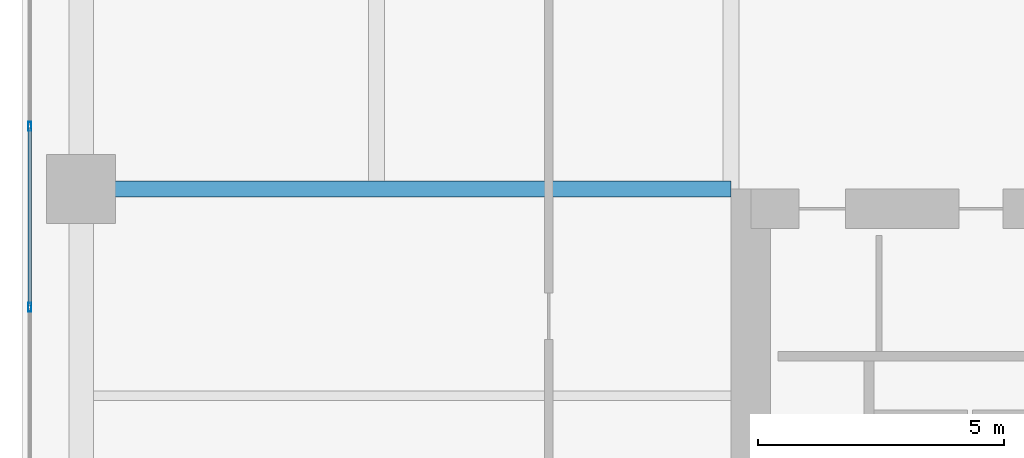
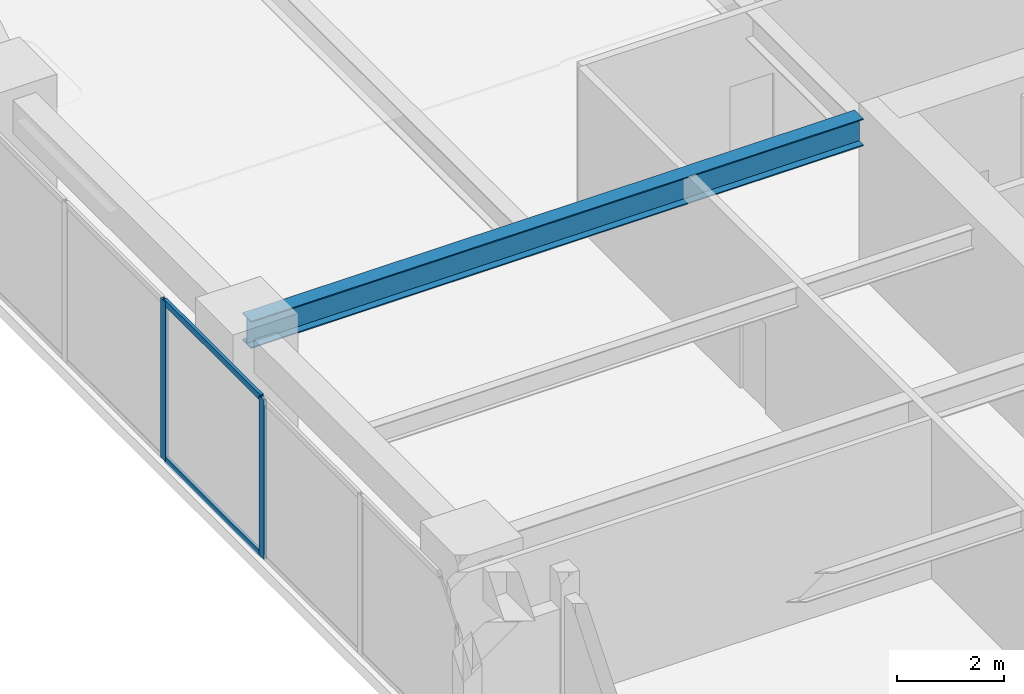
# One storey, part 8 of 24: 4 members, 1 beam, 1 element without a shape of its own.
"""IFC4 building model written with IfcOpenShell, lengths in metres."""

from ifc_helpers import new_model, si_unit, direction, frame, origin, origin_2d, place, context, subcontext, project, spatial, hollow_rectangle, i_section, extrude, material, layer, layer_set, material_profile, profile_set, type_object, element, aggregate, save


model = new_model("IFC4")

# Units and contexts
model_context = context("Model", 3, precision=1e-05, world=origin(), true_north=direction((0.0, 1.0)))
body_context = subcontext(model_context, "Body", "Model", "MODEL_VIEW")
ifc_project = project(units=[si_unit("LENGTHUNIT", "METRE"), si_unit("AREAUNIT", "SQUARE_METRE"), si_unit("VOLUMEUNIT", "CUBIC_METRE"), si_unit("PLANEANGLEUNIT", "RADIAN"), si_unit("MASSUNIT", "GRAM", prefix="KILO")], contexts=[model_context])

# Site, building, storey
site_placement = place(None, origin())
site = spatial("IfcSite", under=ifc_project, at=site_placement, CompositionType="ELEMENT")
building_placement = place(site_placement, origin())
building = spatial("IfcBuilding", under=site, at=building_placement, Name="Kiyonajd Concourse Tower", CompositionType="ELEMENT")
storey_placement = place(building_placement, frame((0.0, 0.0, 113.10009765625)))
storey = spatial("IfcBuildingStorey", under=building, at=storey_placement, Name="L29", CompositionType="ELEMENT", Elevation=113.10009765625)

# Beam
ifc_material_1 = material(Name="Steel ASTM A992 Grade 50", Category="steel")
ifc_material_profile_1 = material_profile(ifc_material_1, i_section(OverallWidth=0.326904296875, OverallDepth=0.6220703125, WebThickness=0.015380859375, FlangeThickness=0.0244140625, at=origin_2d()), Name="W610X195")
ifc_profile_set_1 = profile_set([ifc_material_profile_1], Name="Steel ASTM A992 Grade 50")
beam_type = type_object("IfcBeamType", Name="BM-TWR-610A", PredefinedType="BEAM", material=ifc_profile_set_1)
beam_placement = place(storey_placement, frame((19.199951171875, 44.39990234375, 3.328857421875), z_axis=(1.0, 0.0, 0.0), x_axis=(0.0, 1.0, 0.0)))
element("IfcBeam", 1, at=beam_placement, inside=storey, type_object=beam_type, Name="L29 West Lease Girder", PredefinedType="BEAM", context=body_context, shape_type="SweptSolid", body=[
    extrude(i_section(OverallWidth=0.326904296875, OverallDepth=0.6220703125, WebThickness=0.015380859375, FlangeThickness=0.0244140625, at=origin_2d()), origin(), (0.0, 0.0, 1.0), 13.199951171875),
])

# Curtain wall, members
ifc_material_2 = material(Name="Thermally Broken Anodised Aluminium", Category="aluminium")
ifc_layer = layer(ifc_material_2, 0.179931640625)
ifc_layer_set = layer_set([ifc_layer], Name="Thermally Broken Anodised Aluminium")
curtain_wall_type = type_object("IfcCurtainWallType", Name="CW-SYS-03", PredefinedType="NOTDEFINED", material=ifc_layer_set)
curtain_wall_placement = place(storey_placement, origin())
curtain_wall = element("IfcCurtainWall", 2, at=curtain_wall_placement, inside=storey, type_object=curtain_wall_type, Name="L29 Unitised Curtain Wall CW3", PredefinedType="NOTDEFINED")
ifc_material_profile_2 = material_profile(ifc_material_2, hollow_rectangle(XDim=0.06494140625, YDim=0.179931640625, WallThickness=0.00390625, at=origin_2d()), Name="MULL-65x180")
ifc_profile_set_2 = profile_set([ifc_material_profile_2], Name="Thermally Broken Anodised Aluminium")
member_type_1 = type_object("IfcMemberType", Name="MB-CW-MULL1", PredefinedType="MULLION", material=ifc_profile_set_2)
member_1_placement = place(storey_placement, frame((18.159912109375, 41.996337890625, 0.0), z_axis=(0.0, 0.0, 1.0), x_axis=(-1.0, 0.0, 0.0)))
member_1 = element("IfcMember", 3, at=member_1_placement, type_object=member_type_1, Name="CW3 mullion 3", PredefinedType="MULLION", context=body_context, shape_type="SweptSolid", body=[
    extrude(hollow_rectangle(XDim=0.06494140625, YDim=0.179931640625, WallThickness=0.00390625, at=origin_2d()), origin(), (0.0, 0.0, 1.0), 3.639892578125),
])
member_2_placement = place(storey_placement, frame((18.159912109375, 45.66943359375, 0.0), z_axis=(0.0, 0.0, 1.0), x_axis=(-1.0, 0.0, 0.0)))
member_2 = element("IfcMember", 4, at=member_2_placement, type_object=member_type_1, Name="CW3 mullion 4", PredefinedType="MULLION", context=body_context, shape_type="SweptSolid", body=[
    extrude(hollow_rectangle(XDim=0.06494140625, YDim=0.179931640625, WallThickness=0.00390625, at=origin_2d()), origin(), (0.0, 0.0, 1.0), 3.639892578125),
])
ifc_material_profile_3 = material_profile(ifc_material_2, hollow_rectangle(XDim=0.06494140625, YDim=0.139892578125, WallThickness=0.00390625, at=origin_2d()), Name="TRAN-65x140")
ifc_profile_set_3 = profile_set([ifc_material_profile_3], Name="Thermally Broken Anodised Aluminium")
member_type_2 = type_object("IfcMemberType", Name="MB-CW-TRAN1", PredefinedType="USERDEFINED", material=ifc_profile_set_3)
member_3_placement = place(storey_placement, frame((18.159912109375, 42.02880859375, 0.032470703125), z_axis=(0.0, 1.0, 0.0), x_axis=(-1.0, 0.0, 0.0)))
member_3 = element("IfcMember", 5, at=member_3_placement, type_object=member_type_2, Name="CW3 transom 3.1", ObjectType="TRANSOM", PredefinedType="USERDEFINED", context=body_context, shape_type="SweptSolid", body=[
    extrude(hollow_rectangle(XDim=0.06494140625, YDim=0.139892578125, WallThickness=0.00390625, at=origin_2d()), origin(), (0.0, 0.0, 1.0), 3.608154296875),
])
member_4_placement = place(storey_placement, frame((18.159912109375, 42.02880859375, 3.607421875), z_axis=(0.0, 1.0, 0.0), x_axis=(-1.0, 0.0, 0.0)))
member_4 = element("IfcMember", 6, at=member_4_placement, type_object=member_type_2, Name="CW3 transom 3.2", ObjectType="TRANSOM", PredefinedType="USERDEFINED", context=body_context, shape_type="SweptSolid", body=[
    extrude(hollow_rectangle(XDim=0.06494140625, YDim=0.139892578125, WallThickness=0.00390625, at=origin_2d()), origin(), (0.0, 0.0, 1.0), 3.608154296875),
])
aggregate(curtain_wall, [member_1, member_2, member_3, member_4])

save(model, "model.ifc")
